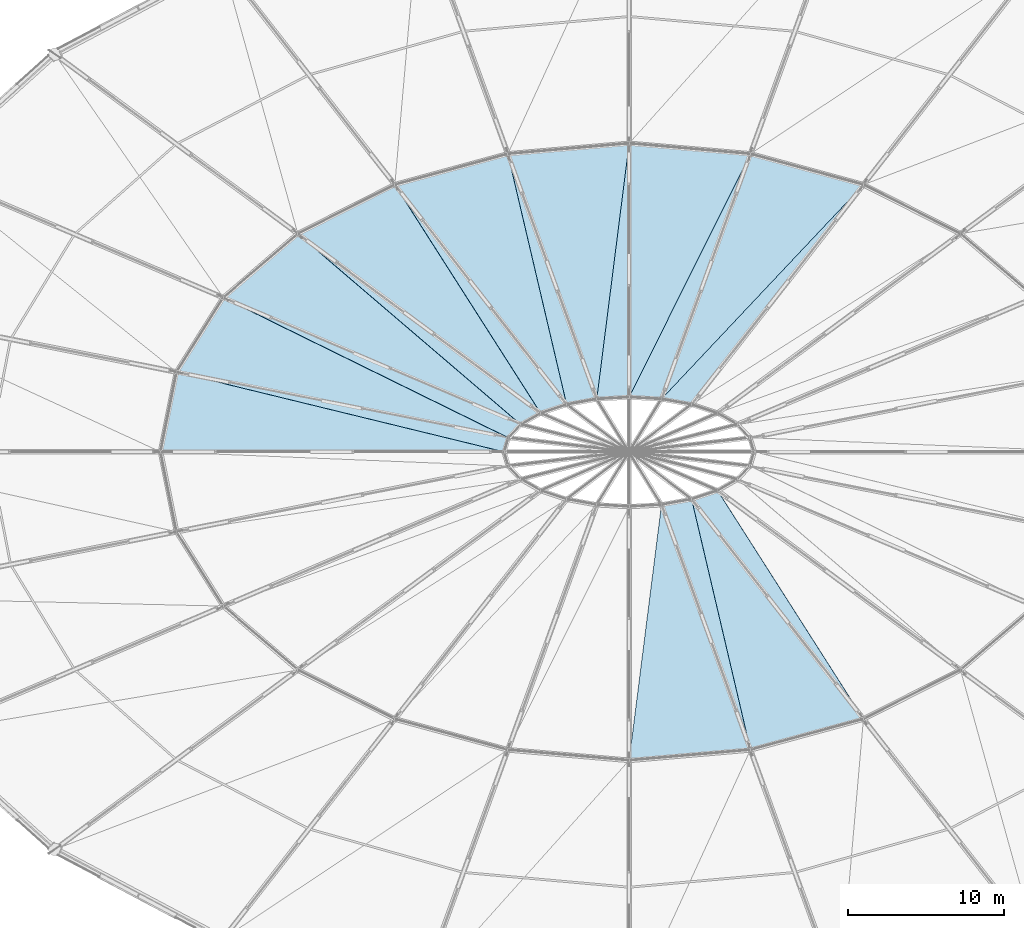
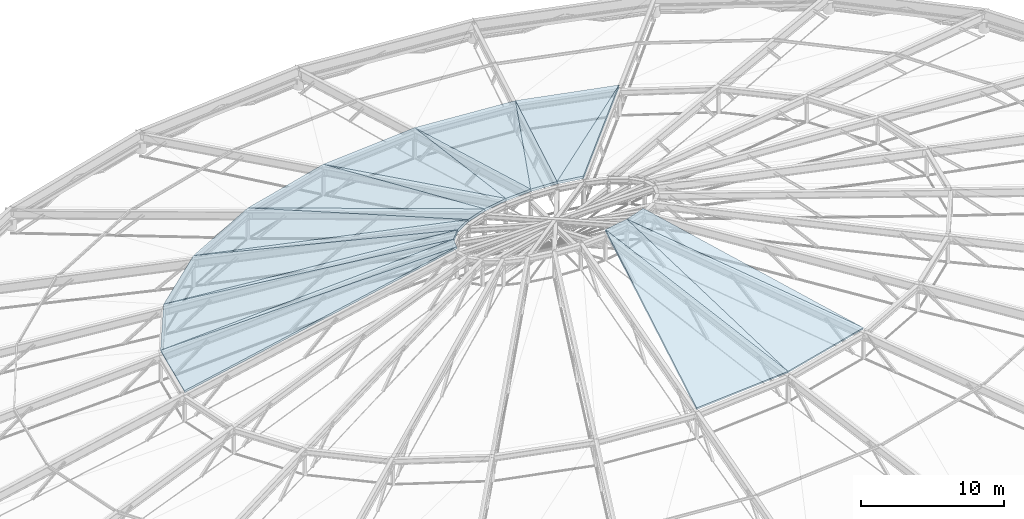
# One storey, part 49 of 83: 20 slabs, 1 element without a shape of its own.
"""IFC4 building model written with IfcOpenShell, lengths in metres."""

from ifc_helpers import new_model, si_unit, direction, frame, origin, place, context, subcontext, project, spatial, polyline, outline, extrude, material, layer, layer_set, type_object, element, aggregate, save


model = new_model("IFC4")

# Units and contexts
model_context = context("Model", 3, precision=1e-05, world=origin(), true_north=direction((0.0, 1.0)))
body_context = subcontext(model_context, "Body", "Model", "MODEL_VIEW")
ifc_project = project(units=[si_unit("LENGTHUNIT", "METRE"), si_unit("AREAUNIT", "SQUARE_METRE"), si_unit("VOLUMEUNIT", "CUBIC_METRE"), si_unit("PLANEANGLEUNIT", "RADIAN"), si_unit("MASSUNIT", "GRAM", prefix="KILO")], contexts=[model_context])

# Site, building, storey
site_placement = place(None, origin())
site = spatial("IfcSite", under=ifc_project, at=site_placement, CompositionType="ELEMENT")
building_placement = place(site_placement, origin())
building = spatial("IfcBuilding", under=site, at=building_placement, Name="Kivolera Central Railway Station", CompositionType="ELEMENT")
storey_placement = place(building_placement, frame((0.0, 0.0, 14.39990234375)))
storey = spatial("IfcBuildingStorey", under=building, at=storey_placement, Name="L03", CompositionType="ELEMENT", Elevation=14.39990234375)

# Roof, slabs
ifc_material_1 = material(Name="Steel S355", Category="steel")
roof_type = type_object("IfcRoofType", Name="ROOF-DOME-MAIN", PredefinedType="DOME_ROOF", material=ifc_material_1)
roof_placement = place(storey_placement, origin())
roof = element("IfcRoof", 1, at=roof_placement, inside=storey, type_object=roof_type, Name="Oval Concourse Radial-Ribbed Cable-Net Dome Roof", PredefinedType="DOME_ROOF")
ifc_material_2 = material(Name="Precast concrete C40/50", Category="concrete")
ifc_layer = layer(ifc_material_2, 0.179931640625, Name="Precast concrete C40/50")
ifc_layer_set = layer_set([ifc_layer], Name="Precast concrete C40/50")
slab_type = type_object("IfcSlabType", Name="SLB-DOME-180", PredefinedType="ROOF", material=ifc_layer_set)
slab_1_placement = place(storey_placement, frame((79.0, 107.10400390625, 6.400146484375), z_axis=(0.070091659864, 0.257043229805, 0.963854728281), x_axis=(-0.964774338312, 0.263078840152, 0.0)))
slab_1 = element("IfcSlab", 2, at=slab_1_placement, type_object=slab_type, Name="Oval Dome Faceted Roof Panel F2A-04", PredefinedType="ROOF", context=body_context, shape_type="SweptSolid", body=[
    extrude(outline(polyline([(0.0, 0.0), (7.499274322052701, 2.220446049250313e-16), (8.863319362274627, 17.26488044530646), (0.0, 0.0)])), origin(), (0.0, 0.0, -1.0), 0.179931640625),
])
slab_2_placement = place(storey_placement, frame((79.0, 107.10400390625, 6.400146484375), z_axis=(0.049884740974, 0.274853095144, 0.960191277146), x_axis=(-0.666198056485, -0.707108154861, 0.23701942297)))
slab_2 = element("IfcSlab", 3, at=slab_2_placement, type_object=slab_type, Name="Oval Dome Faceted Roof Panel F2B-04", PredefinedType="ROOF", context=body_context, shape_type="SweptSolid", body=[
    extrude(outline(polyline([(0.0, 0.0), (19.407074146001445, -4.440892098500626e-16), (18.369564929639854, 1.6634334036265872), (0.0, 0.0)])), origin(), (0.0, 0.0, -1.0), 0.179931640625),
])
slab_3_placement = place(storey_placement, frame((71.764892578125, 109.076904296875, 6.400146484375), z_axis=(0.023603341634, 0.272290272279, 0.961925615568), x_axis=(-0.996263942133, 0.086360625325, 0.0)))
slab_3 = element("IfcSlab", 4, at=slab_3_placement, type_object=slab_type, Name="Oval Dome Faceted Roof Panel F2A-05", PredefinedType="ROOF", context=body_context, shape_type="SweptSolid", body=[
    extrude(outline(polyline([(0.0, 0.0), (7.794011455943983, -1.1102230246251565e-16), (6.390651294413852, 16.830084153747947), (0.0, 0.0)])), origin(), (0.0, 0.0, -1.0), 0.179931640625),
])
slab_4_placement = place(storey_placement, frame((71.764892578125, 109.076904296875, 6.400146484375), z_axis=(0.01583932071, 0.275903403659, 0.961054851592), x_axis=(-0.431321584124, -0.865260526077, 0.255511082109)))
slab_4 = element("IfcSlab", 5, at=slab_4_placement, type_object=slab_type, Name="Oval Dome Faceted Roof Panel F2B-05", PredefinedType="ROOF", context=body_context, shape_type="SweptSolid", body=[
    extrude(outline(polyline([(0.0, 0.0), (18.002559723245785, -6.661338147750939e-16), (17.21214978136887, 1.9179717323785275), (0.0, 0.0)])), origin(), (0.0, 0.0, -1.0), 0.179931640625),
])
slab_5_placement = place(storey_placement, frame((64.0, 109.75, 6.400146484375), z_axis=(-0.023685101219, 0.273233458204, 0.961656120086), x_axis=(-0.996263942133, -0.086360625325, 0.0)))
slab_5 = element("IfcSlab", 6, at=slab_5_placement, type_object=slab_type, Name="Oval Dome Faceted Roof Panel F2A-06", PredefinedType="ROOF", context=body_context, shape_type="SweptSolid", body=[
    extrude(outline(polyline([(0.0, 0.0), (7.794011455943983, 0.0), (3.476935514470478, 16.771987687153544), (0.0, 0.0)])), origin(), (0.0, 0.0, -1.0), 0.179931640625),
])
slab_6_placement = place(storey_placement, frame((64.0, 109.75, 6.400146484375), z_axis=(-0.015634339785, 0.272332863242, 0.962076077563), x_axis=(-0.120911570868, -0.955647541197, 0.268548262021)))
slab_6 = element("IfcSlab", 7, at=slab_6_placement, type_object=slab_type, Name="Oval Dome Faceted Roof Panel F2B-06", PredefinedType="ROOF", context=body_context, shape_type="SweptSolid", body=[
    extrude(outline(polyline([(0.0, 0.0), (17.128591639414378, 1.942890293094024e-16), (16.764555211622707, 2.0422636758415007), (0.0, 0.0)])), origin(), (0.0, 0.0, -1.0), 0.179931640625),
])
slab_7_placement = place(storey_placement, frame((56.235107421875, 109.076904296875, 6.400146484375), z_axis=(-0.070761814898, 0.259500851937, 0.96314696355), x_axis=(-0.964774338312, -0.263078840152, 0.0)))
slab_7 = element("IfcSlab", 8, at=slab_7_placement, type_object=slab_type, Name="Oval Dome Faceted Roof Panel F2A-07", PredefinedType="ROOF", context=body_context, shape_type="SweptSolid", body=[
    extrude(outline(polyline([(0.0, 0.0), (7.499274322052701, -4.440892098500626e-16), (0.5890646042548511, 17.101372110114653), (0.0, 0.0)])), origin(), (0.0, 0.0, -1.0), 0.179931640625),
])
slab_8_placement = place(storey_placement, frame((56.235107421875, 109.076904296875, 6.400146484375), z_axis=(-0.048062625808, 0.264813672601, 0.963101086493), x_axis=(0.220021003957, -0.937725210043, 0.268816272327)))
slab_8 = element("IfcSlab", 9, at=slab_8_placement, type_object=slab_type, Name="Oval Dome Faceted Roof Panel F2B-07", PredefinedType="ROOF", context=body_context, shape_type="SweptSolid", body=[
    extrude(outline(polyline([(0.0, 0.0), (17.111514402781342, -2.983724378680108e-16), (17.20762963741585, 1.9581108048338638), (0.0, 0.0)])), origin(), (0.0, 0.0, -1.0), 0.179931640625),
])
slab_9_placement = place(storey_placement, frame((49.0, 107.10400390625, 6.400146484375), z_axis=(-0.116060220086, 0.229719256495, 0.966312107194), x_axis=(-0.892553489172, -0.450941536085, 0.0)))
slab_9 = element("IfcSlab", 10, at=slab_9_placement, type_object=slab_type, Name="Oval Dome Faceted Roof Panel F2A-08", PredefinedType="ROOF", context=body_context, shape_type="SweptSolid", body=[
    extrude(outline(polyline([(0.0, 0.0), (6.960804814916162, 0.0), (-1.7423614831365493, 17.872316703878422), (0.0, 0.0)])), origin(), (0.0, 0.0, -1.0), 0.179931640625),
])
slab_10_placement = place(storey_placement, frame((49.0, 107.10400390625, 6.400146484375), z_axis=(-0.083806595313, 0.249800334821, 0.964663800143), x_axis=(0.520298115239, -0.814661032824, 0.256158686906)))
slab_10 = element("IfcSlab", 11, at=slab_10_placement, type_object=slab_type, Name="Oval Dome Faceted Roof Panel F2B-08", PredefinedType="ROOF", context=body_context, shape_type="SweptSolid", body=[
    extrude(outline(polyline([(0.0, 0.0), (17.95704674777146, -2.0539125955565396e-15), (18.366294827944373, 1.6991588170560126), (0.0, 0.0)])), origin(), (0.0, 0.0, -1.0), 0.179931640625),
])
slab_11_placement = place(storey_placement, frame((42.787109375, 103.965087890625, 6.400146484375), z_axis=(-0.156528527935, 0.182474909006, 0.970670761652), x_axis=(-0.759006904764, -0.651082574271, 0.0)))
slab_11 = element("IfcSlab", 12, at=slab_11_placement, type_object=slab_type, Name="Oval Dome Faceted Roof Panel F2A-09", PredefinedType="ROOF", context=body_context, shape_type="SweptSolid", body=[
    extrude(outline(polyline([(0.0, 0.0), (6.281980277543623, -4.440892098500626e-16), (-2.8893160561905846, 19.133154241810445), (0.0, 0.0)])), origin(), (0.0, 0.0, -1.0), 0.179931640625),
])
slab_12_placement = place(storey_placement, frame((42.787109375, 103.965087890625, 6.400146484375), z_axis=(-0.124713014768, 0.218604698614, 0.967811267599), x_axis=(0.738235159283, -0.631267961997, 0.23771749989)))
slab_12 = element("IfcSlab", 13, at=slab_12_placement, type_object=slab_type, Name="Oval Dome Faceted Roof Panel F2B-09", PredefinedType="ROOF", context=body_context, shape_type="SweptSolid", body=[
    extrude(outline(polyline([(0.0, 0.0), (19.350083682337647, 2.1649348980190553e-15), (19.830646766345684, 1.3821204013094115), (0.0, 0.0)])), origin(), (0.0, 0.0, -1.0), 0.179931640625),
])
slab_13_placement = place(storey_placement, frame((38.01904296875, 99.875, 6.400146484375), z_axis=(-0.187689234498, 0.118103082818, 0.975102257757), x_axis=(-0.532581967899, -0.846378430413, 0.0)))
slab_13 = element("IfcSlab", 14, at=slab_13_placement, type_object=slab_type, Name="Oval Dome Faceted Roof Panel F2A-10", PredefinedType="ROOF", context=body_context, shape_type="SweptSolid", body=[
    extrude(outline(polyline([(0.0, 0.0), (5.627434823452291, -4.440892098500626e-16), (-2.1305381293511267, 20.7428881528813), (0.0, 0.0)])), origin(), (0.0, 0.0, -1.0), 0.179931640625),
])
slab_14_placement = place(storey_placement, frame((38.01904296875, 99.875, 6.400146484375), z_axis=(-0.167356178366, 0.15844858889, 0.973080651458), x_axis=(0.875402436499, -0.430125980495, 0.220595138376)))
slab_14 = element("IfcSlab", 15, at=slab_14_placement, type_object=slab_type, Name="Oval Dome Faceted Roof Panel F2B-10", PredefinedType="ROOF", context=body_context, shape_type="SweptSolid", body=[
    extrude(outline(polyline([(0.0, 0.0), (20.85201672845009, 4.440892098500626e-16), (21.188502729448416, 1.112483602680308), (0.0, 0.0)])), origin(), (0.0, 0.0, -1.0), 0.179931640625),
])
slab_15_placement = place(storey_placement, frame((35.02197265625, 95.112060546875, 6.400146484375), z_axis=(-0.204487568212, 0.040879935075, 0.978015166219), x_axis=(-0.196035080602, -0.980596883114, 0.0)))
slab_15 = element("IfcSlab", 16, at=slab_15_placement, type_object=slab_type, Name="Oval Dome Faceted Roof Panel F2A-11", PredefinedType="ROOF", context=body_context, shape_type="SweptSolid", body=[
    extrude(outline(polyline([(0.0, 0.0), (5.213213130597923, 0.0), (0.900441357363075, 22.05807453059302), (0.0, 0.0)])), origin(), (0.0, 0.0, -1.0), 0.179931640625),
])
slab_16_placement = place(storey_placement, frame((35.02197265625, 95.112060546875, 6.400146484375), z_axis=(-0.199777585945, 0.060186295092, 0.97799106644), x_axis=(0.950244790459, -0.231561758576, 0.208360241336)))
slab_16 = element("IfcSlab", 17, at=slab_16_placement, type_object=slab_type, Name="Oval Dome Faceted Roof Panel F2B-11", PredefinedType="ROOF", context=body_context, shape_type="SweptSolid", body=[
    extrude(outline(polyline([(0.0, 0.0), (22.076445516324547, 6.245004513516506e-16), (22.126017779424373, 0.9449288248165739), (0.0, 0.0)])), origin(), (0.0, 0.0, -1.0), 0.179931640625),
])
slab_17_placement = place(storey_placement, frame((64.0, 70.25, 6.400146484375), z_axis=(0.023685101219, -0.273233458204, 0.961656120086), x_axis=(0.996263942133, 0.086360625325, 0.0)))
slab_17 = element("IfcSlab", 18, at=slab_17_placement, type_object=slab_type, Name="Oval Dome Faceted Roof Panel F2A-18", PredefinedType="ROOF", context=body_context, shape_type="SweptSolid", body=[
    extrude(outline(polyline([(0.0, 0.0), (7.794011455943983, 0.0), (3.476935514470478, 16.771987687153544), (0.0, 0.0)])), origin(), (0.0, 0.0, -1.0), 0.179931640625),
])
slab_18_placement = place(storey_placement, frame((71.764892578125, 70.923095703125, 6.400146484375), z_axis=(0.070761814898, -0.259500851937, 0.96314696355), x_axis=(0.964774338312, 0.263078840152, 0.0)))
slab_18 = element("IfcSlab", 19, at=slab_18_placement, type_object=slab_type, Name="Oval Dome Faceted Roof Panel F2A-19", PredefinedType="ROOF", context=body_context, shape_type="SweptSolid", body=[
    extrude(outline(polyline([(0.0, 0.0), (7.499274322052701, -4.440892098500626e-16), (0.5890646042548511, 17.101372110114653), (0.0, 0.0)])), origin(), (0.0, 0.0, -1.0), 0.179931640625),
])
slab_19_placement = place(storey_placement, frame((71.764892578125, 70.923095703125, 6.400146484375), z_axis=(0.048062625808, -0.264813672601, 0.963101086493), x_axis=(-0.220021003957, 0.937725210043, 0.268816272327)))
slab_19 = element("IfcSlab", 20, at=slab_19_placement, type_object=slab_type, Name="Oval Dome Faceted Roof Panel F2B-19", PredefinedType="ROOF", context=body_context, shape_type="SweptSolid", body=[
    extrude(outline(polyline([(0.0, 0.0), (17.111514402781342, -2.983724378680108e-16), (17.20762963741585, 1.9581108048338638), (0.0, 0.0)])), origin(), (0.0, 0.0, -1.0), 0.179931640625),
])
slab_20_placement = place(storey_placement, frame((79.0, 72.89599609375, 6.400146484375), z_axis=(0.083806595313, -0.249800334821, 0.964663800143), x_axis=(-0.520298115239, 0.814661032824, 0.256158686906)))
slab_20 = element("IfcSlab", 21, at=slab_20_placement, type_object=slab_type, Name="Oval Dome Faceted Roof Panel F2B-20", PredefinedType="ROOF", context=body_context, shape_type="SweptSolid", body=[
    extrude(outline(polyline([(0.0, 0.0), (17.95704674777146, -2.0539125955565396e-15), (18.366294827944373, 1.6991588170560126), (0.0, 0.0)])), origin(), (0.0, 0.0, -1.0), 0.179931640625),
])
aggregate(roof, [slab_1, slab_2, slab_3, slab_4, slab_5, slab_6, slab_7, slab_8, slab_9, slab_10, slab_11, slab_12, slab_13, slab_14, slab_15, slab_16, slab_17, slab_18, slab_19, slab_20])

save(model, "model.ifc")
